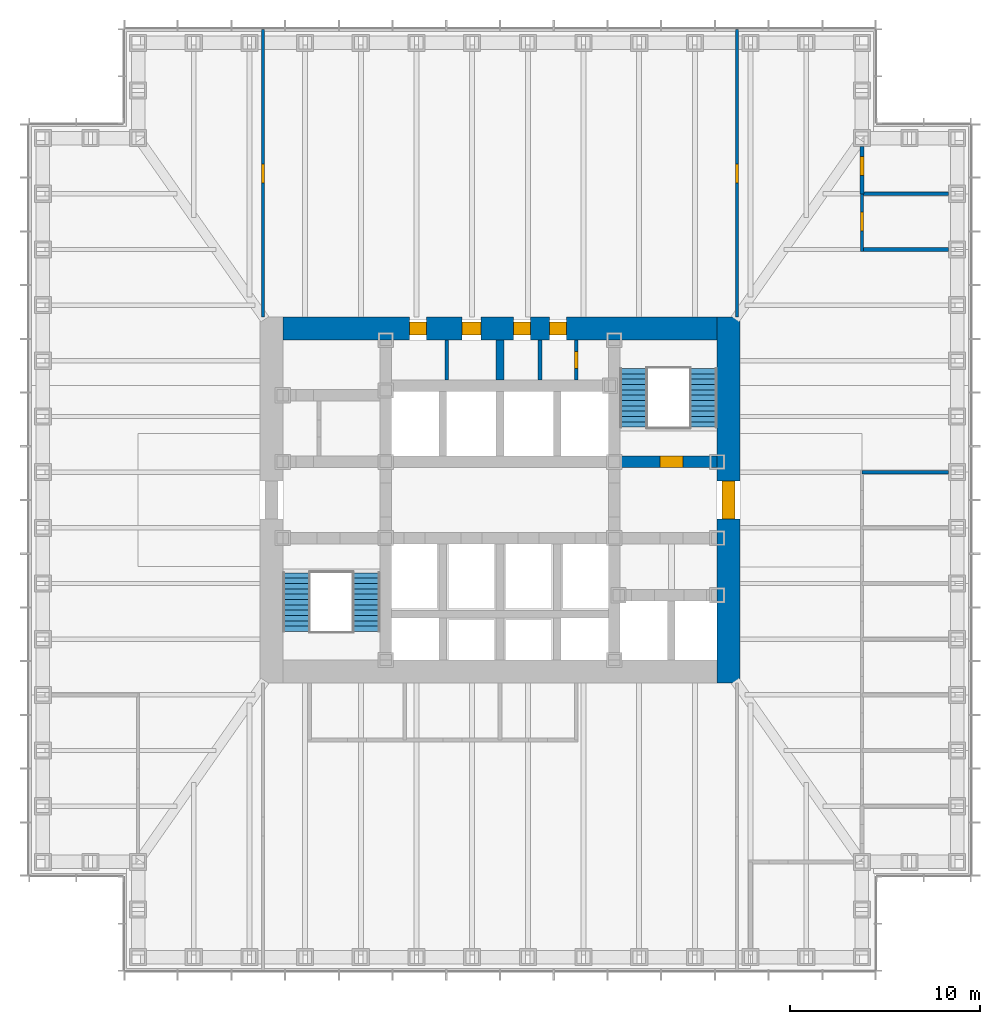
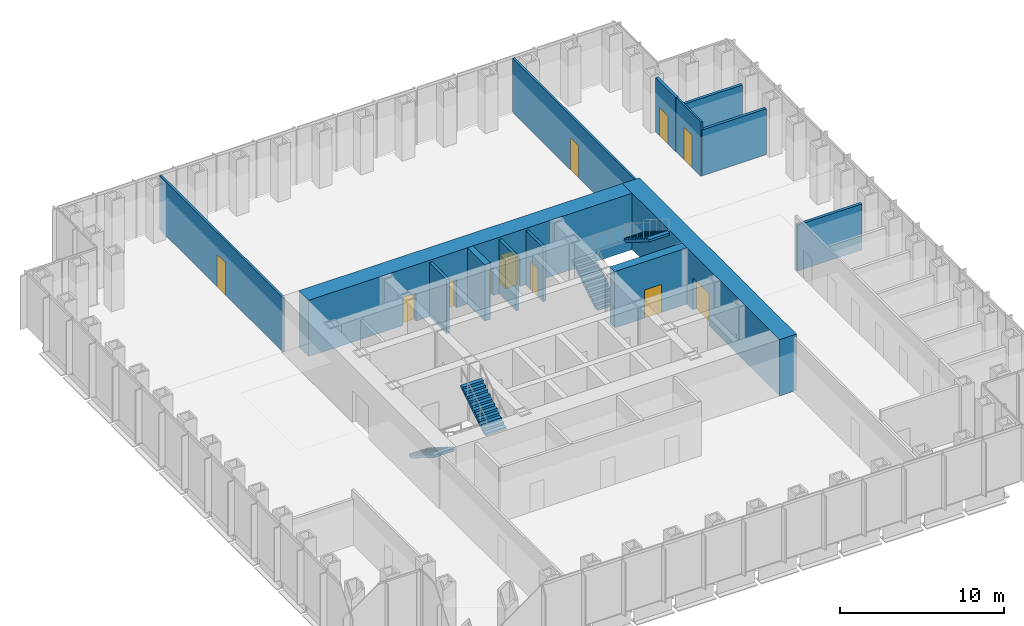
# One storey, part 10 of 16: 14 walls, 11 doors, 4 stair flights, 11 openings, 2 elements without a shape of their own.
"""IFC4 building model written with IfcOpenShell, lengths in metres."""

import ifcopenshell
import ifcopenshell.guid

model = None  # the IFC model being written
_history = None  # IfcOwnerHistory: only IFC2X3 demands one
_inside = {}  # id of a spatial element -> (the spatial element, [elements in it])
_under = {}  # id of a project, library or spatial element -> (it, [spatial elements below it])
_declared = {}  # id of a project -> (the project, [libraries it declares])
_typed = {}  # id of a type object -> (the type object, [elements of that type])
_made_of = {}  # id of a material, layer set ... -> (it, [elements and type objects made of it])


def new_model(schema):
    """Start an empty IFC model of exactly this schema.

    Asked for "IFC4X3", IfcOpenShell would pick the latest addendum, in which some entities
    have other attributes; the version numbers below select the first issue.
    IFC2X3 requires an IfcOwnerHistory on every rooted entity: one is made here for all.
    """
    global model, _history
    if schema == "IFC4X3":
        model = ifcopenshell.file(schema_version=(4, 3, 0, 0))
    else:
        model = ifcopenshell.file(schema=schema)
    _inside.clear()
    _under.clear()
    _declared.clear()
    _typed.clear()
    _made_of.clear()
    _history = None
    if model.schema == "IFC2X3":
        org = make("IfcOrganization", Name="unknown")
        user = make(
            "IfcPersonAndOrganization",
            ThePerson=make("IfcPerson", FamilyName="unknown"),
            TheOrganization=org,
        )
        app = make(
            "IfcApplication",
            ApplicationDeveloper=org,
            Version="unknown",
            ApplicationFullName="unknown",
            ApplicationIdentifier="unknown",
        )
        _history = make(
            "IfcOwnerHistory",
            OwningUser=user,
            OwningApplication=app,
            ChangeAction="ADDED",
            CreationDate=0,
        )
    return model


def make(cls, **values):
    """One entity of the class cls with the attributes given. An attribute that is None is left unset."""
    return model.create_entity(
        cls, **{name: value for name, value in values.items() if value is not None}
    )


def rooted(cls, **values):
    """An entity with a GlobalId (a new one), such as an element, a storey or a relation."""
    return make(cls, GlobalId=ifcopenshell.guid.new(), OwnerHistory=_history, **values)


def si_unit(unit_type, name, prefix=None):
    """IfcSIUnit, for example si_unit("LENGTHUNIT", "METRE", prefix="MILLI")."""
    return make("IfcSIUnit", UnitType=unit_type, Prefix=prefix, Name=name)


def assignment(units):
    """IfcUnitAssignment: the units of a project."""
    return None if units is None else make("IfcUnitAssignment", Units=units)


def point(xyz):
    """IfcCartesianPoint."""
    return None if xyz is None else make("IfcCartesianPoint", Coordinates=xyz)


def direction(xyz):
    """IfcDirection."""
    return None if xyz is None else make("IfcDirection", DirectionRatios=xyz)


def frame(location, z_axis=None, x_axis=None):
    """IfcAxis2Placement3D, a coordinate frame: its origin and axes. An axis left out is left unset."""
    return make(
        "IfcAxis2Placement3D",
        Location=point(location),
        Axis=direction(z_axis),
        RefDirection=direction(x_axis),
    )


def frame_2d(location, x_axis=None):
    """IfcAxis2Placement2D, a coordinate frame in the plane: its origin and x axis."""
    return make(
        "IfcAxis2Placement2D", Location=point(location), RefDirection=direction(x_axis)
    )


def origin():
    """The frame at (0, 0, 0) with its axes left unset."""
    return frame((0.0, 0.0, 0.0))


def place(relative_to, where):
    """IfcLocalPlacement: puts the frame where relative to a parent placement (None: the world)."""
    return make(
        "IfcLocalPlacement", PlacementRelTo=relative_to, RelativePlacement=where
    )


def context(
    kind, dimensions, precision=None, world=None, true_north=None, identifier=None
):
    """IfcGeometricRepresentationContext, for example the 3D "Model" context."""
    return make(
        "IfcGeometricRepresentationContext",
        ContextIdentifier=identifier,
        ContextType=kind,
        CoordinateSpaceDimension=dimensions,
        Precision=precision,
        WorldCoordinateSystem=world,
        TrueNorth=true_north,
    )


def subcontext(parent, identifier, kind, view, scale=None):
    """IfcGeometricRepresentationSubContext, for example "Body" below "Model"."""
    return make(
        "IfcGeometricRepresentationSubContext",
        ContextIdentifier=identifier,
        ContextType=kind,
        ParentContext=parent,
        TargetScale=scale,
        TargetView=view,
    )


def project(units=None, contexts=None):
    """IfcProject with its units and contexts."""
    return rooted(
        "IfcProject",
        Name="project",
        RepresentationContexts=contexts,
        UnitsInContext=assignment(units),
    )


def spatial(cls, under=None, at=None, **own):
    """A site, building, storey or space (cls), placed at a placement, below another one or the project."""
    s = rooted(cls, ObjectPlacement=at, **own)
    if under is not None:
        _under.setdefault(under.id(), (under, []))[1].append(s)
    return s


def polyline(points):
    """IfcPolyline through the points."""
    return make("IfcPolyline", Points=[point(p) for p in points])


def profile(cls, at=None, kind="AREA", **sizes):
    """A parametric profile (cls). Its sizes go by their IFC names, for example OverallWidth=200.0."""
    return make(cls, ProfileType=kind, Position=at, **sizes)


def rectangle(**sizes):
    """IfcRectangleProfileDef."""
    return profile("IfcRectangleProfileDef", **sizes)


def outline(outer, holes=None, kind="AREA"):
    """IfcArbitraryClosedProfileDef: a profile drawn as a closed curve; with holes, ...WithVoids."""
    if holes is None:
        return make("IfcArbitraryClosedProfileDef", ProfileType=kind, OuterCurve=outer)
    return make(
        "IfcArbitraryProfileDefWithVoids",
        ProfileType=kind,
        OuterCurve=outer,
        InnerCurves=holes,
    )


def extrude(swept, where, along, depth):
    """IfcExtrudedAreaSolid: the profile swept, set in the frame where, extruded along a direction by depth."""
    return make(
        "IfcExtrudedAreaSolid",
        SweptArea=swept,
        Position=where,
        ExtrudedDirection=direction(along),
        Depth=depth,
    )


def shape(context_of_items, identifier, shape_type, items):
    """IfcShapeRepresentation: the items that make up one representation, for example the "Body"."""
    return make(
        "IfcShapeRepresentation",
        ContextOfItems=context_of_items,
        RepresentationIdentifier=identifier,
        RepresentationType=shape_type,
        Items=items,
    )


def material(Name=None, Category=None):
    """IfcMaterial."""
    return make("IfcMaterial", Name=Name, Category=Category)


def layer(
    of_material, thickness, ventilated=None, Name=None, Category=None, Priority=None
):
    """IfcMaterialLayer: one layer of a wall or slab, of a material (None: an air gap)."""
    return make(
        "IfcMaterialLayer",
        Material=of_material,
        LayerThickness=thickness,
        IsVentilated=ventilated,
        Name=Name,
        Category=Category,
        Priority=Priority,
    )


def layer_set(layers, Name=None):
    """IfcMaterialLayerSet."""
    return make("IfcMaterialLayerSet", MaterialLayers=layers, LayerSetName=Name)


def made_of(thing, what):
    """Note that an element or type object is made of a material, layer set ...; save() writes the relation."""
    if what is not None:
        _made_of.setdefault(what.id(), (what, []))[1].append(thing)
    return thing


def type_object(cls, material=None, **own):
    """A type object (cls), such as IfcWallType, which elements share."""
    return made_of(rooted(cls, **own), material)


def element(
    cls,
    number,
    at=None,
    inside=None,
    cuts=None,
    type_object=None,
    material=None,
    context=None,
    identifier="Body",
    shape_type=None,
    held_by="IfcProductDefinitionShape",
    body=None,
    shapes=None,
    **own,
):
    """One element of the class cls, such as IfcWall. Its Tag is "e" and its number.

    at: its placement. inside: the storey or other place that contains it. cuts: it is an
    opening in that element (IfcRelVoidsElement). A single representation is given by context,
    identifier, shape_type and body (its items); several are given by shapes. held_by: the class
    of the entity that holds the representations. save() writes the other relations.
    """
    e = rooted(cls, Tag="e%d" % number, ObjectPlacement=at, **own)
    if body is not None:
        shapes = [shape(context, identifier, shape_type, body)]
    if shapes is not None:
        e.Representation = make(held_by, Representations=shapes)
    if inside is not None:
        _inside.setdefault(inside.id(), (inside, []))[1].append(e)
    if cuts is not None:
        rooted(
            "IfcRelVoidsElement", RelatingBuildingElement=cuts, RelatedOpeningElement=e
        )
    if type_object is not None:
        _typed.setdefault(type_object.id(), (type_object, []))[1].append(e)
    return made_of(e, material)


def fill(opening, filler):
    """IfcRelFillsElement: the door or window that sits in an opening."""
    return rooted(
        "IfcRelFillsElement",
        RelatingOpeningElement=opening,
        RelatedBuildingElement=filler,
    )


def aggregate(whole, parts):
    """IfcRelAggregates: a whole, such as a stair, and the parts it consists of."""
    return rooted("IfcRelAggregates", RelatingObject=whole, RelatedObjects=parts)


def save(model, path):
    """Write the relations noted so far, then the file.

    IfcRelAggregates (storeys below a building ...), IfcRelContainedInSpatialStructure (elements
    in a storey), IfcRelDefinesByType, IfcRelAssociatesMaterial and IfcRelDeclares: one each for
    every whole, place, type object, material and project.
    """
    for whole, parts in _under.values():
        aggregate(whole, parts)
    for where, things in _inside.values():
        rooted(
            "IfcRelContainedInSpatialStructure",
            RelatedElements=things,
            RelatingStructure=where,
        )
    for kind, things in _typed.values():
        rooted("IfcRelDefinesByType", RelatedObjects=things, RelatingType=kind)
    for what, things in _made_of.values():
        rooted("IfcRelAssociatesMaterial", RelatedObjects=things, RelatingMaterial=what)
    for by, libraries in _declared.values():
        rooted("IfcRelDeclares", RelatingContext=by, RelatedDefinitions=libraries)
    model.write(path)


model = new_model("IFC4")

# Units and contexts
model_context = context("Model", 3, precision=1e-05, world=origin(), true_north=direction((0.0, 1.0)))
body_context = subcontext(model_context, "Body", "Model", "MODEL_VIEW")
ifc_project = project(units=[si_unit("LENGTHUNIT", "METRE"), si_unit("AREAUNIT", "SQUARE_METRE"), si_unit("VOLUMEUNIT", "CUBIC_METRE"), si_unit("PLANEANGLEUNIT", "RADIAN"), si_unit("MASSUNIT", "GRAM", prefix="KILO")], contexts=[model_context])

# Site, building, storey
site_placement = place(None, origin())
site = spatial("IfcSite", under=ifc_project, at=site_placement, CompositionType="ELEMENT")
building_placement = place(site_placement, origin())
building = spatial("IfcBuilding", under=site, at=building_placement, Name="Daluyong Arena Tower", CompositionType="ELEMENT")
storey_placement = place(building_placement, frame((0.0, 0.0, 72.699951171875)))
storey = spatial("IfcBuildingStorey", under=building, at=storey_placement, Name="L15", CompositionType="ELEMENT", Elevation=72.699951171875)

# Wall, opening, door
ifc_material_1 = material(Name="Concrete fc' 60 MPa", Category="concrete")
ifc_layer_1 = layer(ifc_material_1, 0.60009765625)
ifc_layer_set_1 = layer_set([ifc_layer_1], Name="Concrete fc' 60 MPa")
wall_type_1 = type_object("IfcWallType", Name="Core inner wall 600", PredefinedType="SHEAR", material=ifc_layer_set_1)
wall_1_placement = place(storey_placement, frame((62.300048828125, 82.0, 0.0), z_axis=(0.0, 0.0, 1.0), x_axis=(1.0, 0.0, 0.0)))
wall_1 = element("IfcWall", 1, at=wall_1_placement, inside=storey, type_object=wall_type_1, Name="core inner wall at L15", PredefinedType="SHEAR", context=body_context, shape_type="SweptSolid", body=[
    extrude(rectangle(XDim=5.099853515625, YDim=0.60009765625, at=frame_2d((2.5498046875, 0.0))), origin(), (0.0, 0.0, 1.0), 4.199951171875),
])
opening_1_placement = place(wall_1_placement, frame((2.10009765625, 0.0, 0.0)))
opening_1 = element("IfcOpeningElement", 2, at=opening_1_placement, cuts=wall_1, Name="Opening 15010", PredefinedType="OPENING", context=body_context, shape_type="SweptSolid", body=[
    extrude(rectangle(XDim=1.199951171875, YDim=2.10009765625, at=frame_2d((0.60009765625, 1.050048828125))), frame((0.0, 0.31005859375, 0.0), z_axis=(0.0, -1.0, 0.0), x_axis=(1.0, 0.0, 0.0)), (0.0, 0.0, 1.0), 0.6201171875),
])
ifc_material_2 = material(Name="Steel door, fire rated", Category="steel")
door_type_1 = type_object("IfcDoorType", Name="Stair door 1200", OperationType="SINGLE_SWING_LEFT", PredefinedType="DOOR", material=ifc_material_2)
door_1_placement = place(opening_1_placement, origin())
door_1 = element("IfcDoor", 3, at=door_1_placement, inside=storey, type_object=door_type_1, Name="stair B door 15010", OperationType="SINGLE_SWING_LEFT", OverallHeight=2.10009765625, OverallWidth=1.199951171875, PredefinedType="DOOR", context=body_context, shape_type="SweptSolid", body=[
    extrude(rectangle(XDim=1.199951171875, YDim=2.10009765625, at=frame_2d((0.60009765625, 1.050048828125))), frame((0.0, 0.2998046875, 0.0), z_axis=(0.0, -1.0, 0.0), x_axis=(1.0, 0.0, 0.0)), (0.0, 0.0, 1.0), 0.599609375),
])
fill(opening_1, door_1)

ifc_material_3 = material(Name="Concrete fc' 60 MPa", Category="concrete")
ifc_layer_2 = layer(ifc_material_3, 1.199951171875)
ifc_layer_set_2 = layer_set([ifc_layer_2], Name="Concrete fc' 60 MPa")
wall_type_2 = type_object("IfcWallType", Name="Core wall 1200", PredefinedType="SHEAR", material=ifc_layer_set_2)
wall_2_placement = place(storey_placement, frame((68.0, 70.39990234375, 0.0), z_axis=(0.0, 0.0, 1.0), x_axis=(0.0, 1.0, 0.0)))
wall_2 = element("IfcWall", 4, at=wall_2_placement, inside=storey, type_object=wall_type_2, Name="core wall at L15", PredefinedType="SHEAR", context=body_context, shape_type="SweptSolid", body=[
    extrude(rectangle(XDim=19.2001953125, YDim=1.199951171875, at=frame_2d((9.60009765625, 0.0))), origin(), (0.0, 0.0, 1.0), 4.199951171875),
])
opening_2_placement = place(wall_2_placement, frame((8.60009765625, 0.0, 0.0)))
opening_2 = element("IfcOpeningElement", 5, at=opening_2_placement, cuts=wall_2, Name="Opening 15012", PredefinedType="OPENING", context=body_context, shape_type="SweptSolid", body=[
    extrude(rectangle(XDim=2.0, YDim=2.39990234375, at=frame_2d((1.0, 1.199951171875))), frame((0.0, 0.60986328125, 0.0), z_axis=(0.0, -1.0, 0.0), x_axis=(1.0, 0.0, 0.0)), (0.0, 0.0, 1.0), 1.219970703125),
])
ifc_material_4 = material(Name="Steel door, fire rated", Category="steel")
door_type_2 = type_object("IfcDoorType", Name="Core lobby double door 2000", OperationType="DOUBLE_DOOR_SINGLE_SWING", PredefinedType="DOOR", material=ifc_material_4)
door_2_placement = place(opening_2_placement, origin())
door_2 = element("IfcDoor", 6, at=door_2_placement, inside=storey, type_object=door_type_2, Name="core lobby door east 15012", OperationType="DOUBLE_DOOR_SINGLE_SWING", OverallHeight=2.39990234375, OverallWidth=2.0, PredefinedType="DOOR", context=body_context, shape_type="SweptSolid", body=[
    extrude(rectangle(XDim=2.0, YDim=2.39990234375, at=frame_2d((1.0, 1.199951171875))), frame((0.0, 0.35009765625, 0.0), z_axis=(0.0, -1.0, 0.0), x_axis=(1.0, 0.0, 0.0)), (0.0, 0.0, 1.0), 0.699951171875),
])
fill(opening_2, door_2)

# Wall, openings, doors
wall_3_placement = place(storey_placement, frame((44.60009765625, 89.0, 0.0), z_axis=(0.0, 0.0, 1.0), x_axis=(1.0, 0.0, 0.0)))
wall_3 = element("IfcWall", 7, at=wall_3_placement, inside=storey, type_object=wall_type_2, Name="core wall at L15", PredefinedType="SHEAR", context=body_context, shape_type="SweptSolid", body=[
    extrude(rectangle(XDim=22.7998046875, YDim=1.199951171875, at=frame_2d((11.39990234375, 0.0))), origin(), (0.0, 0.0, 1.0), 4.199951171875),
])
opening_3_placement = place(wall_3_placement, frame((9.39990234375, 0.0, 0.0)))
opening_3 = element("IfcOpeningElement", 8, at=opening_3_placement, cuts=wall_3, Name="Opening 15004", PredefinedType="OPENING", context=body_context, shape_type="SweptSolid", body=[
    extrude(rectangle(XDim=1.0, YDim=2.10009765625, at=frame_2d((0.5, 1.050048828125))), frame((0.0, 0.60986328125, 0.0), z_axis=(0.0, -1.0, 0.0), x_axis=(1.0, 0.0, 0.0)), (0.0, 0.0, 1.0), 1.219970703125),
])
opening_4_placement = place(wall_3_placement, frame((6.64990234375, 0.0, 0.0)))
opening_4 = element("IfcOpeningElement", 9, at=opening_4_placement, cuts=wall_3, Name="Opening 15005", PredefinedType="OPENING", context=body_context, shape_type="SweptSolid", body=[
    extrude(rectangle(XDim=0.89990234375, YDim=2.10009765625, at=frame_2d((0.449951171875, 1.050048828125))), frame((0.0, 0.60986328125, 0.0), z_axis=(0.0, -1.0, 0.0), x_axis=(1.0, 0.0, 0.0)), (0.0, 0.0, 1.0), 1.219970703125),
])
opening_5_placement = place(wall_3_placement, frame((12.10009765625, 0.0, 0.0)))
opening_5 = element("IfcOpeningElement", 10, at=opening_5_placement, cuts=wall_3, Name="Opening 15006", PredefinedType="OPENING", context=body_context, shape_type="SweptSolid", body=[
    extrude(rectangle(XDim=0.89990234375, YDim=2.10009765625, at=frame_2d((0.449951171875, 1.050048828125))), frame((0.0, 0.60986328125, 0.0), z_axis=(0.0, -1.0, 0.0), x_axis=(1.0, 0.0, 0.0)), (0.0, 0.0, 1.0), 1.219970703125),
])
opening_6_placement = place(wall_3_placement, frame((14.0, 0.0, 0.0)))
opening_6 = element("IfcOpeningElement", 11, at=opening_6_placement, cuts=wall_3, Name="Opening 15007", PredefinedType="OPENING", context=body_context, shape_type="SweptSolid", body=[
    extrude(rectangle(XDim=0.89990234375, YDim=2.10009765625, at=frame_2d((0.449951171875, 1.050048828125))), frame((0.0, 0.60986328125, 0.0), z_axis=(0.0, -1.0, 0.0), x_axis=(1.0, 0.0, 0.0)), (0.0, 0.0, 1.0), 1.219970703125),
])
ifc_material_5 = material(Name="Timber door", Category="wood")
door_type_3 = type_object("IfcDoorType", Name="Accessible toilet door 1000", OperationType="SINGLE_SWING_LEFT", PredefinedType="DOOR", material=ifc_material_5)
door_3_placement = place(opening_3_placement, origin())
door_3 = element("IfcDoor", 12, at=door_3_placement, inside=storey, type_object=door_type_3, Name="accessible toilet door 15004", OperationType="SINGLE_SWING_LEFT", OverallHeight=2.10009765625, OverallWidth=1.0, PredefinedType="DOOR", context=body_context, shape_type="SweptSolid", body=[
    extrude(rectangle(XDim=1.0, YDim=2.10009765625, at=frame_2d((0.5, 1.050048828125))), frame((0.0, 0.35009765625, 0.0), z_axis=(0.0, -1.0, 0.0), x_axis=(1.0, 0.0, 0.0)), (0.0, 0.0, 1.0), 0.699951171875),
])
fill(opening_3, door_3)
ifc_material_6 = material(Name="Steel door, fire rated", Category="steel")
door_type_4 = type_object("IfcDoorType", Name="Core store door 900", OperationType="SINGLE_SWING_LEFT", PredefinedType="DOOR", material=ifc_material_6)
door_4_placement = place(opening_4_placement, origin())
door_4 = element("IfcDoor", 13, at=door_4_placement, inside=storey, type_object=door_type_4, Name="tenant store door 15005", OperationType="SINGLE_SWING_LEFT", OverallHeight=2.10009765625, OverallWidth=0.89990234375, PredefinedType="DOOR", context=body_context, shape_type="SweptSolid", body=[
    extrude(rectangle(XDim=0.89990234375, YDim=2.10009765625, at=frame_2d((0.449951171875, 1.050048828125))), frame((0.0, 0.35009765625, 0.0), z_axis=(0.0, -1.0, 0.0), x_axis=(1.0, 0.0, 0.0)), (0.0, 0.0, 1.0), 0.699951171875),
])
fill(opening_4, door_4)
door_5_placement = place(opening_5_placement, origin())
door_5 = element("IfcDoor", 14, at=door_5_placement, inside=storey, type_object=door_type_4, Name="facilities store door 15006", OperationType="SINGLE_SWING_LEFT", OverallHeight=2.10009765625, OverallWidth=0.89990234375, PredefinedType="DOOR", context=body_context, shape_type="SweptSolid", body=[
    extrude(rectangle(XDim=0.89990234375, YDim=2.10009765625, at=frame_2d((0.449951171875, 1.050048828125))), frame((0.0, 0.35009765625, 0.0), z_axis=(0.0, -1.0, 0.0), x_axis=(1.0, 0.0, 0.0)), (0.0, 0.0, 1.0), 0.699951171875),
])
fill(opening_5, door_5)
door_6_placement = place(opening_6_placement, origin())
door_6 = element("IfcDoor", 15, at=door_6_placement, inside=storey, type_object=door_type_4, Name="stationery store door 15007", OperationType="SINGLE_SWING_LEFT", OverallHeight=2.10009765625, OverallWidth=0.89990234375, PredefinedType="DOOR", context=body_context, shape_type="SweptSolid", body=[
    extrude(rectangle(XDim=0.89990234375, YDim=2.10009765625, at=frame_2d((0.449951171875, 1.050048828125))), frame((0.0, 0.35009765625, 0.0), z_axis=(0.0, -1.0, 0.0), x_axis=(1.0, 0.0, 0.0)), (0.0, 0.0, 1.0), 0.699951171875),
])
fill(opening_6, door_6)

# Wall
ifc_material_7 = material(Name="Concrete block partition, fire rated", Category="concrete")
ifc_layer_3 = layer(ifc_material_7, 0.199951171875)
ifc_layer_set_3 = layer_set([ifc_layer_3], Name="Concrete block partition, fire rated")
wall_type_3 = type_object("IfcWallType", Name="Fire-rated partition 200", PredefinedType="PARTITIONING", material=ifc_layer_set_3)
wall_4_placement = place(storey_placement, frame((53.199951171875, 86.300048828125, 0.0), z_axis=(0.0, 0.0, 1.0), x_axis=(0.0, 1.0, 0.0)))
element("IfcWall", 16, at=wall_4_placement, inside=storey, type_object=wall_type_3, Name="core room partition at L15", PredefinedType="PARTITIONING", context=body_context, shape_type="SweptSolid", body=[
    extrude(rectangle(XDim=2.099853515625, YDim=0.199951171875, at=frame_2d((1.0498046875, 0.0))), origin(), (0.0, 0.0, 1.0), 4.0400390625),
])

# Wall, opening, door
wall_5_placement = place(storey_placement, frame((60.0, 86.300048828125, 0.0), z_axis=(0.0, 0.0, 1.0), x_axis=(0.0, 1.0, 0.0)))
wall_5 = element("IfcWall", 17, at=wall_5_placement, inside=storey, type_object=wall_type_3, Name="electrical riser enclosure at L15", PredefinedType="PARTITIONING", context=body_context, shape_type="SweptSolid", body=[
    extrude(rectangle(XDim=2.099853515625, YDim=0.199951171875, at=frame_2d((1.0498046875, 0.0))), origin(), (0.0, 0.0, 1.0), 4.0400390625),
])
opening_7_placement = place(wall_5_placement, frame((0.60009765625, 0.0, 0.0)))
opening_7 = element("IfcOpeningElement", 18, at=opening_7_placement, cuts=wall_5, Name="Opening 15008", PredefinedType="OPENING", context=body_context, shape_type="SweptSolid", body=[
    extrude(rectangle(XDim=0.89990234375, YDim=2.10009765625, at=frame_2d((0.449951171875, 1.050048828125))), frame((0.0, 0.10986328125, 0.0), z_axis=(0.0, -1.0, 0.0), x_axis=(1.0, 0.0, 0.0)), (0.0, 0.0, 1.0), 0.219970703125),
])
ifc_material_8 = material(Name="Steel door, fire rated", Category="steel")
door_type_5 = type_object("IfcDoorType", Name="Riser door 900", OperationType="SINGLE_SWING_LEFT", PredefinedType="DOOR", material=ifc_material_8)
door_7_placement = place(opening_7_placement, origin())
door_7 = element("IfcDoor", 19, at=door_7_placement, inside=storey, type_object=door_type_5, Name="riser door 15008", OperationType="SINGLE_SWING_LEFT", OverallHeight=2.10009765625, OverallWidth=0.89990234375, PredefinedType="DOOR", context=body_context, shape_type="SweptSolid", body=[
    extrude(rectangle(XDim=0.89990234375, YDim=2.10009765625, at=frame_2d((0.449951171875, 1.050048828125))), frame((0.0, 0.099609375, 0.0), z_axis=(0.0, -1.0, 0.0), x_axis=(1.0, 0.0, 0.0)), (0.0, 0.0, 1.0), 0.199462890625),
])
fill(opening_7, door_7)

# Wall
wall_6_placement = place(storey_placement, frame((58.10009765625, 86.300048828125, 0.0), z_axis=(0.0, 0.0, 1.0), x_axis=(0.0, 1.0, 0.0)))
element("IfcWall", 20, at=wall_6_placement, inside=storey, type_object=wall_type_3, Name="core room partition at L15", PredefinedType="PARTITIONING", context=body_context, shape_type="SweptSolid", body=[
    extrude(rectangle(XDim=2.099853515625, YDim=0.199951171875, at=frame_2d((1.0498046875, 0.0))), origin(), (0.0, 0.0, 1.0), 4.0400390625),
])

# Wall, opening, door
ifc_material_9 = material(Name="Glazed aluminium partition", Category="aluminium")
ifc_layer_4 = layer(ifc_material_9, 0.14990234375)
ifc_layer_set_4 = layer_set([ifc_layer_4], Name="Glazed aluminium partition")
wall_type_4 = type_object("IfcWallType", Name="Glazed partition 150", PredefinedType="PARTITIONING", material=ifc_layer_set_4)
wall_7_placement = place(storey_placement, frame((43.550048828125, 89.60009765625, 0.0), z_axis=(0.0, 0.0, 1.0), x_axis=(0.0, 1.0, 0.0)))
wall_7 = element("IfcWall", 21, at=wall_7_placement, inside=storey, type_object=wall_type_4, Name="glazed partition at L15", PredefinedType="PARTITIONING", context=body_context, shape_type="SweptSolid", body=[
    extrude(rectangle(XDim=15.08984375, YDim=0.14990234375, at=frame_2d((7.544921875, 0.0))), origin(), (0.0, 0.0, 1.0), 4.0400390625),
])
opening_8_placement = place(wall_7_placement, frame((7.044921875, 0.0, 0.0)))
opening_8 = element("IfcOpeningElement", 22, at=opening_8_placement, cuts=wall_7, Name="Opening 15038", PredefinedType="OPENING", context=body_context, shape_type="SweptSolid", body=[
    extrude(rectangle(XDim=1.0, YDim=2.39990234375, at=frame_2d((0.5, 1.199951171875))), frame((0.0, 0.0849609375, 0.0), z_axis=(0.0, -1.0, 0.0), x_axis=(1.0, 0.0, 0.0)), (0.0, 0.0, 1.0), 0.169921875),
])
ifc_material_10 = material(Name="Glazed aluminium door", Category="aluminium")
door_type_6 = type_object("IfcDoorType", Name="Meeting room glazed door 1000", OperationType="SINGLE_SWING_RIGHT", PredefinedType="DOOR", material=ifc_material_10)
door_8_placement = place(opening_8_placement, origin())
door_8 = element("IfcDoor", 23, at=door_8_placement, inside=storey, type_object=door_type_6, Name="team area screen door 15038", OperationType="SINGLE_SWING_RIGHT", OverallHeight=2.39990234375, OverallWidth=1.0, PredefinedType="DOOR", context=body_context, shape_type="SweptSolid", body=[
    extrude(rectangle(XDim=1.0, YDim=2.39990234375, at=frame_2d((0.5, 1.199951171875))), frame((0.0, 0.07470703125, 0.0), z_axis=(0.0, -1.0, 0.0), x_axis=(1.0, 0.0, 0.0)), (0.0, 0.0, 1.0), 0.1494140625),
])
fill(opening_8, door_8)

wall_8_placement = place(storey_placement, frame((68.449951171875, 89.60009765625, 0.0), z_axis=(0.0, 0.0, 1.0), x_axis=(0.0, 1.0, 0.0)))
wall_8 = element("IfcWall", 24, at=wall_8_placement, inside=storey, type_object=wall_type_4, Name="glazed partition at L15", PredefinedType="PARTITIONING", context=body_context, shape_type="SweptSolid", body=[
    extrude(rectangle(XDim=15.08984375, YDim=0.14990234375, at=frame_2d((7.544921875, 0.0))), origin(), (0.0, 0.0, 1.0), 4.0400390625),
])
opening_9_placement = place(wall_8_placement, frame((7.044921875, 0.0, 0.0)))
opening_9 = element("IfcOpeningElement", 25, at=opening_9_placement, cuts=wall_8, Name="Opening 15039", PredefinedType="OPENING", context=body_context, shape_type="SweptSolid", body=[
    extrude(rectangle(XDim=1.0, YDim=2.39990234375, at=frame_2d((0.5, 1.199951171875))), frame((0.0, 0.0849609375, 0.0), z_axis=(0.0, -1.0, 0.0), x_axis=(1.0, 0.0, 0.0)), (0.0, 0.0, 1.0), 0.169921875),
])
door_9_placement = place(opening_9_placement, origin())
door_9 = element("IfcDoor", 26, at=door_9_placement, inside=storey, type_object=door_type_6, Name="team area screen door 15039", OperationType="SINGLE_SWING_RIGHT", OverallHeight=2.39990234375, OverallWidth=1.0, PredefinedType="DOOR", context=body_context, shape_type="SweptSolid", body=[
    extrude(rectangle(XDim=1.0, YDim=2.39990234375, at=frame_2d((0.5, 1.199951171875))), frame((0.0, 0.07470703125, 0.0), z_axis=(0.0, -1.0, 0.0), x_axis=(1.0, 0.0, 0.0)), (0.0, 0.0, 1.0), 0.1494140625),
])
fill(opening_9, door_9)

wall_9_placement = place(storey_placement, frame((75.0, 93.053955078125, 0.0), z_axis=(0.0, 0.0, 1.0), x_axis=(0.0, 1.0, 0.0)))
wall_9 = element("IfcWall", 27, at=wall_9_placement, inside=storey, type_object=wall_type_4, Name="glazed partition at L15", PredefinedType="PARTITIONING", context=body_context, shape_type="SweptSolid", body=[
    extrude(rectangle(XDim=3.02294921875, YDim=0.14990234375, at=frame_2d((1.511474609375, 0.0))), origin(), (0.0, 0.0, 1.0), 4.0400390625),
])
opening_10_placement = place(wall_9_placement, frame((1.0615234375, 0.0, 0.0)))
opening_10 = element("IfcOpeningElement", 28, at=opening_10_placement, cuts=wall_9, Name="Opening 15030", PredefinedType="OPENING", context=body_context, shape_type="SweptSolid", body=[
    extrude(rectangle(XDim=1.0, YDim=2.39990234375, at=frame_2d((0.5, 1.199951171875))), frame((0.0, 0.0849609375, 0.0), z_axis=(0.0, -1.0, 0.0), x_axis=(1.0, 0.0, 0.0)), (0.0, 0.0, 1.0), 0.169921875),
])
door_10_placement = place(opening_10_placement, origin())
door_10 = element("IfcDoor", 29, at=door_10_placement, inside=storey, type_object=door_type_6, Name="focus room door 15030", OperationType="SINGLE_SWING_RIGHT", OverallHeight=2.39990234375, OverallWidth=1.0, PredefinedType="DOOR", context=body_context, shape_type="SweptSolid", body=[
    extrude(rectangle(XDim=1.0, YDim=2.39990234375, at=frame_2d((0.5, 1.199951171875))), frame((0.0, 0.07470703125, 0.0), z_axis=(0.0, -1.0, 0.0), x_axis=(1.0, 0.0, 0.0)), (0.0, 0.0, 1.0), 0.1494140625),
])
fill(opening_10, door_10)

# Walls
ifc_material_11 = material(Name="Concrete fc' 45 MPa", Category="concrete")
ifc_layer_5 = layer(ifc_material_11, 0.39990234375)
ifc_layer_set_5 = layer_set([ifc_layer_5], Name="Concrete fc' 45 MPa")
wall_type_5 = type_object("IfcWallType", Name="Lift shaft wall 400", PredefinedType="SHEAR", material=ifc_layer_set_5)
wall_10_placement = place(storey_placement, frame((56.0, 86.300048828125, 0.0), z_axis=(0.0, 0.0, 1.0), x_axis=(0.0, 1.0, 0.0)))
element("IfcWall", 30, at=wall_10_placement, inside=storey, type_object=wall_type_5, Name="lift shaft wall at L15", PredefinedType="SHEAR", context=body_context, shape_type="SweptSolid", body=[
    extrude(rectangle(XDim=2.099853515625, YDim=0.39990234375, at=frame_2d((1.0498046875, 0.0))), origin(), (0.0, 0.0, 1.0), 4.199951171875),
])
ifc_material_12 = material(Name="Concrete block partition", Category="concrete")
ifc_layer_6 = layer(ifc_material_12, 0.199951171875)
ifc_layer_set_6 = layer_set([ifc_layer_6], Name="Concrete block partition")
wall_type_6 = type_object("IfcWallType", Name="Partition 200", PredefinedType="PARTITIONING", material=ifc_layer_set_6)
for number, where, z_axis, x_axis, name in (
    (31, (75.0, 81.46142578125, 0.0), (0.0, 0.0, 1.0), (1.0, 0.0, 0.0), "partition at L15"),
    (32, (75.0, 93.15380859375, 0.0), (0.0, 0.0, 1.0), (1.0, 0.0, 0.0), "partition at L15"),
    (33, (75.0, 96.076904296875, 0.0), (0.0, 0.0, 1.0), (1.0, 0.0, 0.0), "partition at L15"),
):
    element("IfcWall", number, at=place(storey_placement, frame(where, z_axis=z_axis, x_axis=x_axis)), inside=storey, type_object=wall_type_6, Name=name, PredefinedType="PARTITIONING", context=body_context, shape_type="SweptSolid", body=[
        extrude(rectangle(XDim=4.550048828125, YDim=0.199951171875, at=frame_2d((2.27490234375, 0.0))), origin(), (0.0, 0.0, 1.0), 3.427978515625),
    ])

# Wall, opening, door
wall_11_placement = place(storey_placement, frame((75.0, 96.076904296875, 0.0), z_axis=(0.0, 0.0, 1.0), x_axis=(0.0, 1.0, 0.0)))
wall_11 = element("IfcWall", 34, at=wall_11_placement, inside=storey, type_object=wall_type_6, Name="partition at L15", PredefinedType="PARTITIONING", context=body_context, shape_type="SweptSolid", body=[
    extrude(rectangle(XDim=2.47314453125, YDim=0.199951171875, at=frame_2d((1.236572265625, 0.0))), origin(), (0.0, 0.0, 1.0), 4.0400390625),
])
opening_11_placement = place(wall_11_placement, frame((0.96142578125, 0.0, 0.0)))
opening_11 = element("IfcOpeningElement", 35, at=opening_11_placement, cuts=wall_11, Name="Opening 15031", PredefinedType="OPENING", context=body_context, shape_type="SweptSolid", body=[
    extrude(rectangle(XDim=1.0, YDim=2.10009765625, at=frame_2d((0.5, 1.050048828125))), frame((0.0, 0.10986328125, 0.0), z_axis=(0.0, -1.0, 0.0), x_axis=(1.0, 0.0, 0.0)), (0.0, 0.0, 1.0), 0.219970703125),
])
ifc_material_13 = material(Name="Timber door", Category="wood")
door_type_7 = type_object("IfcDoorType", Name="Room door 1000", OperationType="SINGLE_SWING_LEFT", PredefinedType="DOOR", material=ifc_material_13)
door_11_placement = place(opening_11_placement, origin())
door_11 = element("IfcDoor", 36, at=door_11_placement, inside=storey, type_object=door_type_7, Name="wellness room door 15031", OperationType="SINGLE_SWING_LEFT", OverallHeight=2.10009765625, OverallWidth=1.0, PredefinedType="DOOR", context=body_context, shape_type="SweptSolid", body=[
    extrude(rectangle(XDim=1.0, YDim=2.10009765625, at=frame_2d((0.5, 1.050048828125))), frame((0.0, 0.099609375, 0.0), z_axis=(0.0, -1.0, 0.0), x_axis=(1.0, 0.0, 0.0)), (0.0, 0.0, 1.0), 0.199462890625),
])
fill(opening_11, door_11)

# Stair, stair flights
ifc_material_14 = material(Name="Concrete fc' 35 MPa", Category="concrete")
stair_type = type_object("IfcStairType", Name="Core exit stair", PredefinedType="HALF_TURN_STAIR", material=ifc_material_14)
stair_1_placement = place(storey_placement, origin())
stair_1 = element("IfcStair", 37, at=stair_1_placement, inside=storey, type_object=stair_type, Name="exit stair A L15", PredefinedType="HALF_TURN_STAIR")
ifc_material_15 = material(Name="Concrete fc' 35 MPa", Category="concrete")
stair_flight_type = type_object("IfcStairFlightType", Name="Core stair flight", PredefinedType="STRAIGHT", material=ifc_material_15)
stair_flight_1_placement = place(storey_placement, frame((45.324951171875, 76.175048828125, 0.0), z_axis=(0.0, 0.0, 1.0), x_axis=(0.0, -1.0, 0.0)))
stair_flight_1 = element("IfcStairFlight", 38, at=stair_flight_1_placement, type_object=stair_flight_type, Name="STA flight 1", NumberOfRisers=12, NumberOfTreads=11, PredefinedType="STRAIGHT", RiserHeight=0.175, TreadLength=0.28, context=body_context, shape_type="SweptSolid", body=[
    extrude(outline(polyline([(0.0, 0.0), (0.0, 0.175048828125), (0.280029296875, 0.175048828125), (0.280029296875, 0.35009765625), (0.56005859375, 0.35009765625), (0.56005859375, 0.52490234375), (0.840087890625, 0.52490234375), (0.840087890625, 0.699951171875), (1.1201171875, 0.699951171875), (1.1201171875, 0.875), (1.39990234375, 0.875), (1.39990234375, 1.050048828125), (1.679931640625, 1.050048828125), (1.679931640625, 1.22509765625), (1.9599609375, 1.22509765625), (1.9599609375, 1.39990234375), (2.239990234375, 1.39990234375), (2.239990234375, 1.574951171875), (2.52001953125, 1.574951171875), (2.52001953125, 1.75), (2.800048828125, 1.75), (2.800048828125, 1.925048828125), (3.080078125, 1.925048828125), (3.080078125, 2.10009765625), (3.080078125, 1.748291015625), (0.28271484375, 0.0), (0.0, 0.0)])), frame((0.0, 0.72509765625, 0.0), z_axis=(0.0, -1.0, 0.0), x_axis=(1.0, 0.0, 0.0)), (0.0, 0.0, 1.0), 1.449951171875),
])
stair_flight_2_placement = place(storey_placement, frame((48.97509765625, 73.094970703125, 2.10009765625), z_axis=(0.0, 0.0, 1.0), x_axis=(0.0, 1.0, 0.0)))
stair_flight_2 = element("IfcStairFlight", 39, at=stair_flight_2_placement, type_object=stair_flight_type, Name="STA flight 2", NumberOfRisers=12, NumberOfTreads=11, PredefinedType="STRAIGHT", RiserHeight=0.175, TreadLength=0.28, context=body_context, shape_type="SweptSolid", body=[
    extrude(outline(polyline([(0.0, 0.0), (0.0, 0.175048828125), (0.280029296875, 0.175048828125), (0.280029296875, 0.35009765625), (0.56005859375, 0.35009765625), (0.56005859375, 0.52490234375), (0.840087890625, 0.52490234375), (0.840087890625, 0.699951171875), (1.1201171875, 0.699951171875), (1.1201171875, 0.875), (1.39990234375, 0.875), (1.39990234375, 1.050048828125), (1.679931640625, 1.050048828125), (1.679931640625, 1.22509765625), (1.9599609375, 1.22509765625), (1.9599609375, 1.39990234375), (2.239990234375, 1.39990234375), (2.239990234375, 1.574951171875), (2.52001953125, 1.574951171875), (2.52001953125, 1.75), (2.800048828125, 1.75), (2.800048828125, 1.925048828125), (3.080078125, 1.925048828125), (3.080078125, 2.10009765625), (3.080078125, 1.748291015625), (0.28271484375, 0.0), (0.0, 0.0)])), frame((0.0, 0.72509765625, 0.0), z_axis=(0.0, -1.0, 0.0), x_axis=(1.0, 0.0, 0.0)), (0.0, 0.0, 1.0), 1.449951171875),
])
aggregate(stair_1, [stair_flight_1, stair_flight_2])

stair_2_placement = place(storey_placement, origin())
stair_2 = element("IfcStair", 40, at=stair_2_placement, inside=storey, type_object=stair_type, Name="exit stair B L15", PredefinedType="HALF_TURN_STAIR")
stair_flight_3_placement = place(storey_placement, frame((63.02490234375, 83.824951171875, 0.0), z_axis=(0.0, 0.0, 1.0), x_axis=(0.0, 1.0, 0.0)))
stair_flight_3 = element("IfcStairFlight", 41, at=stair_flight_3_placement, type_object=stair_flight_type, Name="STB flight 1", NumberOfRisers=12, NumberOfTreads=11, PredefinedType="STRAIGHT", RiserHeight=0.175, TreadLength=0.28, context=body_context, shape_type="SweptSolid", body=[
    extrude(outline(polyline([(0.0, 0.0), (0.0, 0.175048828125), (0.280029296875, 0.175048828125), (0.280029296875, 0.35009765625), (0.56005859375, 0.35009765625), (0.56005859375, 0.52490234375), (0.840087890625, 0.52490234375), (0.840087890625, 0.699951171875), (1.1201171875, 0.699951171875), (1.1201171875, 0.875), (1.39990234375, 0.875), (1.39990234375, 1.050048828125), (1.679931640625, 1.050048828125), (1.679931640625, 1.22509765625), (1.9599609375, 1.22509765625), (1.9599609375, 1.39990234375), (2.239990234375, 1.39990234375), (2.239990234375, 1.574951171875), (2.52001953125, 1.574951171875), (2.52001953125, 1.75), (2.800048828125, 1.75), (2.800048828125, 1.925048828125), (3.080078125, 1.925048828125), (3.080078125, 2.10009765625), (3.080078125, 1.748291015625), (0.28271484375, 0.0), (0.0, 0.0)])), frame((0.0, 0.72509765625, 0.0), z_axis=(0.0, -1.0, 0.0), x_axis=(1.0, 0.0, 0.0)), (0.0, 0.0, 1.0), 1.449951171875),
])
stair_flight_4_placement = place(storey_placement, frame((66.675048828125, 86.905029296875, 2.10009765625), z_axis=(0.0, 0.0, 1.0), x_axis=(0.0, -1.0, 0.0)))
stair_flight_4 = element("IfcStairFlight", 42, at=stair_flight_4_placement, type_object=stair_flight_type, Name="STB flight 2", NumberOfRisers=12, NumberOfTreads=11, PredefinedType="STRAIGHT", RiserHeight=0.175, TreadLength=0.28, context=body_context, shape_type="SweptSolid", body=[
    extrude(outline(polyline([(0.0, 0.0), (0.0, 0.175048828125), (0.280029296875, 0.175048828125), (0.280029296875, 0.35009765625), (0.56005859375, 0.35009765625), (0.56005859375, 0.52490234375), (0.840087890625, 0.52490234375), (0.840087890625, 0.699951171875), (1.1201171875, 0.699951171875), (1.1201171875, 0.875), (1.39990234375, 0.875), (1.39990234375, 1.050048828125), (1.679931640625, 1.050048828125), (1.679931640625, 1.22509765625), (1.9599609375, 1.22509765625), (1.9599609375, 1.39990234375), (2.239990234375, 1.39990234375), (2.239990234375, 1.574951171875), (2.52001953125, 1.574951171875), (2.52001953125, 1.75), (2.800048828125, 1.75), (2.800048828125, 1.925048828125), (3.080078125, 1.925048828125), (3.080078125, 2.10009765625), (3.080078125, 1.748291015625), (0.28271484375, 0.0), (0.0, 0.0)])), frame((0.0, 0.72509765625, 0.0), z_axis=(0.0, -1.0, 0.0), x_axis=(1.0, 0.0, 0.0)), (0.0, 0.0, 1.0), 1.449951171875),
])
aggregate(stair_2, [stair_flight_3, stair_flight_4])

save(model, "model.ifc")
